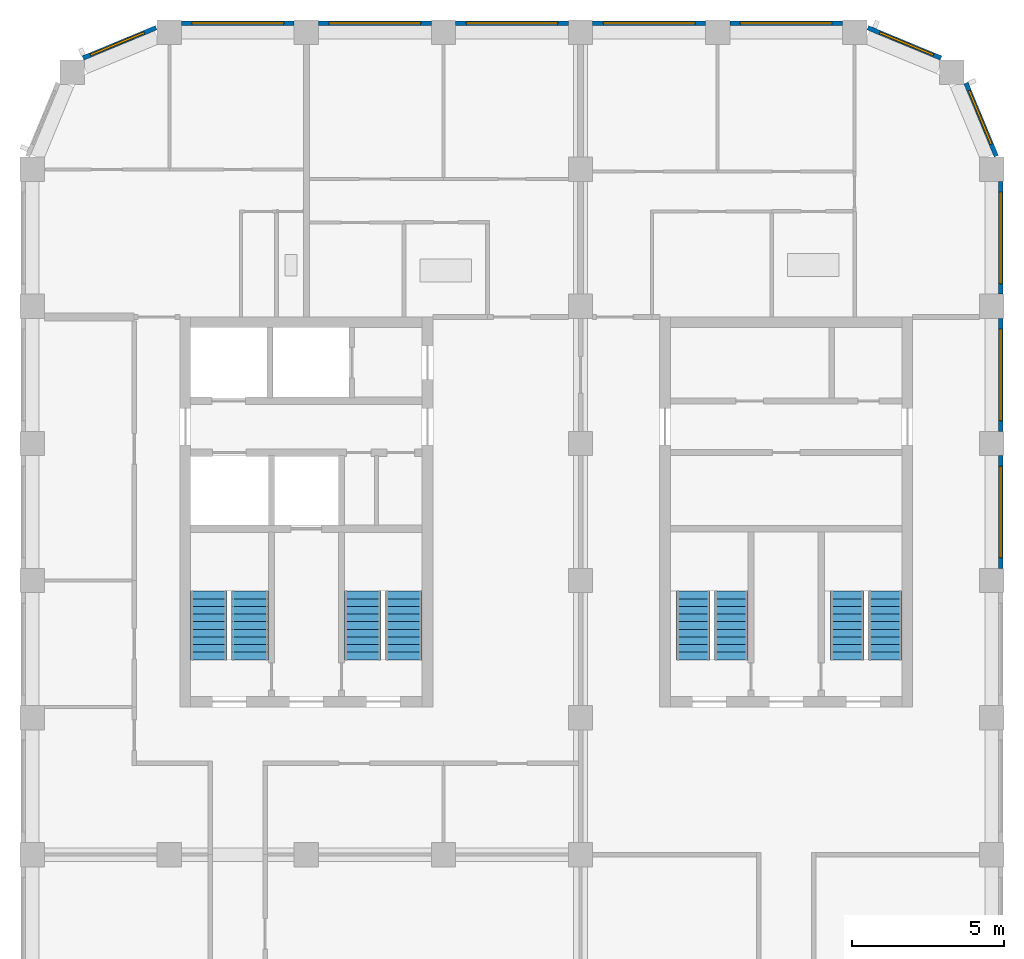
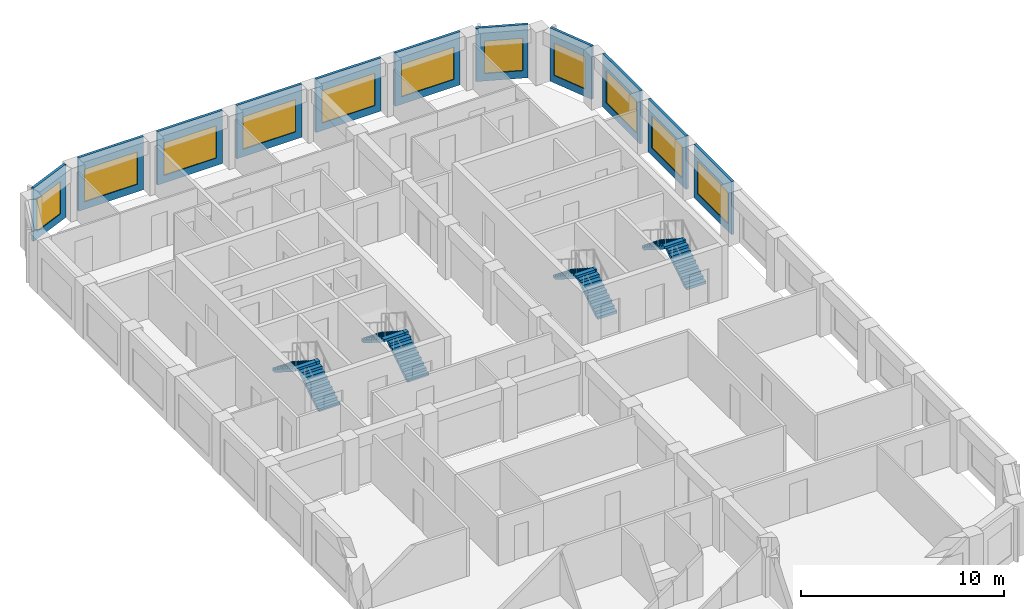
# One storey, part 7 of 9: 11 walls, 11 windows, 8 stair flights, 11 openings, 4 elements without a shape of their own.
"""IFC4 building model written with IfcOpenShell, lengths in metres."""

from ifc_helpers import new_model, si_unit, direction, frame, frame_2d, origin, place, context, subcontext, project, spatial, polyline, rectangle, outline, extrude, material, layer, layer_set, type_object, element, fill, aggregate, save


model = new_model("IFC4")

# Units and contexts
model_context = context("Model", 3, precision=1e-05, world=origin(), true_north=direction((0.0, 1.0)))
body_context = subcontext(model_context, "Body", "Model", "MODEL_VIEW")
ifc_project = project(units=[si_unit("LENGTHUNIT", "METRE"), si_unit("AREAUNIT", "SQUARE_METRE"), si_unit("VOLUMEUNIT", "CUBIC_METRE"), si_unit("PLANEANGLEUNIT", "RADIAN"), si_unit("MASSUNIT", "GRAM", prefix="KILO")], contexts=[model_context])

# Site, building, storey
site_placement = place(None, origin())
site = spatial("IfcSite", under=ifc_project, at=site_placement, CompositionType="ELEMENT")
building_placement = place(site_placement, origin())
building = spatial("IfcBuilding", under=site, at=building_placement, Name="Girih Gate Residences", CompositionType="ELEMENT")
storey_placement = place(building_placement, frame((0.0, 0.0, 206.89501953125)))
storey = spatial("IfcBuildingStorey", under=building, at=storey_placement, Name="L57", CompositionType="ELEMENT", Elevation=206.89501953125)

# Wall, opening, window
ifc_material_1 = material(Name="Precast concrete C50/60", Category="concrete")
ifc_layer_1 = layer(ifc_material_1, 0.050048828125, Name="Outer leaf")
ifc_material_2 = material(Name="Rigid PIR insulation")
ifc_layer_2 = layer(ifc_material_2, 0.06005859375, Name="Insulation")
ifc_material_3 = material(Name="Precast concrete C40/50", Category="concrete")
ifc_layer_3 = layer(ifc_material_3, 0.0400390625, Name="Inner leaf")
ifc_layer_set = layer_set([ifc_layer_1, ifc_layer_2, ifc_layer_3], Name="Precast concrete C50/60 external wall 150")
wall_type = type_object("IfcWallType", Name="Precast concrete C50/60 external wall 150", PredefinedType="SOLIDWALL", material=ifc_layer_set)
wall_1_placement = place(storey_placement, frame((31.800048828125, 35.60009765625, 0.0), z_axis=(0.0, 0.0, 1.0), x_axis=(0.0, -1.0, 0.0)))
wall_1 = element("IfcWall", 1, at=wall_1_placement, inside=storey, type_object=wall_type, Name="External wall E0315_0045.6", PredefinedType="SOLIDWALL", context=body_context, shape_type="SweptSolid", body=[
    extrude(rectangle(XDim=3.7001953125, YDim=0.14990234375, at=frame_2d((1.85009765625, 0.0))), origin(), (0.0, 0.0, 1.0), 3.199951171875),
])
opening_1_placement = place(wall_1_placement, frame((0.35009765625, 0.0, 0.449951171875)))
opening_1 = element("IfcOpeningElement", 2, at=opening_1_placement, cuts=wall_1, Name="Opening W-1D", PredefinedType="OPENING", context=body_context, shape_type="SweptSolid", body=[
    extrude(rectangle(XDim=3.0, YDim=1.949951171875, at=frame_2d((1.5, 0.97509765625))), frame((0.0, 0.0849609375, 0.0), z_axis=(0.0, -1.0, 0.0), x_axis=(1.0, 0.0, 0.0)), (0.0, 0.0, 1.0), 0.169921875),
])
ifc_material_4 = material(Name="Double glazing in aluminium frame", Category="aluminium")
window_type_1 = type_object("IfcWindowType", Name="Window W-1D 3000x1950", PartitioningType="SINGLE_PANEL", PredefinedType="WINDOW", material=ifc_material_4)
window_1_placement = place(opening_1_placement, origin())
window_1 = element("IfcWindow", 3, at=window_1_placement, inside=storey, type_object=window_type_1, Name="Window W-1D E0315_0045.6", OverallHeight=1.949951171875, OverallWidth=3.0, PartitioningType="SINGLE_PANEL", PredefinedType="WINDOW", context=body_context, shape_type="SweptSolid", body=[
    extrude(rectangle(XDim=3.0, YDim=1.949951171875, at=frame_2d((1.5, 0.97509765625))), frame((0.0, 0.030029296875, 0.0), z_axis=(0.0, -1.0, 0.0), x_axis=(1.0, 0.0, 0.0)), (0.0, 0.0, 1.0), 0.06005859375),
])
fill(opening_1, window_1)

wall_2_placement = place(storey_placement, frame((31.800048828125, 40.10009765625, 0.0), z_axis=(0.0, 0.0, 1.0), x_axis=(0.0, -1.0, 0.0)))
wall_2 = element("IfcWall", 4, at=wall_2_placement, inside=storey, type_object=wall_type, Name="External wall E0315_0045.7", PredefinedType="SOLIDWALL", context=body_context, shape_type="SweptSolid", body=[
    extrude(rectangle(XDim=3.7001953125, YDim=0.14990234375, at=frame_2d((1.85009765625, 0.0))), origin(), (0.0, 0.0, 1.0), 3.199951171875),
])
opening_2_placement = place(wall_2_placement, frame((0.35009765625, 0.0, 0.449951171875)))
opening_2 = element("IfcOpeningElement", 5, at=opening_2_placement, cuts=wall_2, Name="Opening W-1D", PredefinedType="OPENING", context=body_context, shape_type="SweptSolid", body=[
    extrude(rectangle(XDim=3.0, YDim=1.949951171875, at=frame_2d((1.5, 0.97509765625))), frame((0.0, 0.0849609375, 0.0), z_axis=(0.0, -1.0, 0.0), x_axis=(1.0, 0.0, 0.0)), (0.0, 0.0, 1.0), 0.169921875),
])
window_2_placement = place(opening_2_placement, origin())
window_2 = element("IfcWindow", 6, at=window_2_placement, inside=storey, type_object=window_type_1, Name="Window W-1D E0315_0045.7", OverallHeight=1.949951171875, OverallWidth=3.0, PartitioningType="SINGLE_PANEL", PredefinedType="WINDOW", context=body_context, shape_type="SweptSolid", body=[
    extrude(rectangle(XDim=3.0, YDim=1.949951171875, at=frame_2d((1.5, 0.97509765625))), frame((0.0, 0.030029296875, 0.0), z_axis=(0.0, -1.0, 0.0), x_axis=(1.0, 0.0, 0.0)), (0.0, 0.0, 1.0), 0.06005859375),
])
fill(opening_2, window_2)

wall_3_placement = place(storey_placement, frame((31.800048828125, 44.60009765625, 0.0), z_axis=(0.0, 0.0, 1.0), x_axis=(0.0, -1.0, 0.0)))
wall_3 = element("IfcWall", 7, at=wall_3_placement, inside=storey, type_object=wall_type, Name="External wall E0315_0045.8", PredefinedType="SOLIDWALL", context=body_context, shape_type="SweptSolid", body=[
    extrude(rectangle(XDim=3.7001953125, YDim=0.14990234375, at=frame_2d((1.85009765625, 0.0))), origin(), (0.0, 0.0, 1.0), 3.199951171875),
])
opening_3_placement = place(wall_3_placement, frame((0.35009765625, 0.0, 0.449951171875)))
opening_3 = element("IfcOpeningElement", 8, at=opening_3_placement, cuts=wall_3, Name="Opening W-1D", PredefinedType="OPENING", context=body_context, shape_type="SweptSolid", body=[
    extrude(rectangle(XDim=3.0, YDim=1.949951171875, at=frame_2d((1.5, 0.97509765625))), frame((0.0, 0.0849609375, 0.0), z_axis=(0.0, -1.0, 0.0), x_axis=(1.0, 0.0, 0.0)), (0.0, 0.0, 1.0), 0.169921875),
])
window_3_placement = place(opening_3_placement, origin())
window_3 = element("IfcWindow", 9, at=window_3_placement, inside=storey, type_object=window_type_1, Name="Window W-1D E0315_0045.8", OverallHeight=1.949951171875, OverallWidth=3.0, PartitioningType="SINGLE_PANEL", PredefinedType="WINDOW", context=body_context, shape_type="SweptSolid", body=[
    extrude(rectangle(XDim=3.0, YDim=1.949951171875, at=frame_2d((1.5, 0.97509765625))), frame((0.0, 0.030029296875, 0.0), z_axis=(0.0, -1.0, 0.0), x_axis=(1.0, 0.0, 0.0)), (0.0, 0.0, 1.0), 0.06005859375),
])
fill(opening_3, window_3)

wall_4_placement = place(storey_placement, frame((30.6513671875, 47.8330078125, 0.0), z_axis=(0.0, 0.0, 1.0), x_axis=(0.382669406082, -0.923885342263, 0.0)))
wall_4 = element("IfcWall", 10, at=wall_4_placement, inside=storey, type_object=wall_type, Name="External wall NE0315_0450.0", PredefinedType="SOLIDWALL", context=body_context, shape_type="SweptSolid", body=[
    extrude(rectangle(XDim=2.602294921875, YDim=0.14990234375, at=frame_2d((1.30126953125, 0.0))), origin(), (0.0, 0.0, 1.0), 3.199951171875),
])
opening_4_placement = place(wall_4_placement, frame((0.27001953125, 0.0, 0.449951171875)))
opening_4 = element("IfcOpeningElement", 11, at=opening_4_placement, cuts=wall_4, Name="Opening W-2G", PredefinedType="OPENING", context=body_context, shape_type="SweptSolid", body=[
    extrude(rectangle(XDim=1.89990234375, YDim=1.949951171875, at=frame_2d((0.949951171875, 0.97509765625))), frame((0.0, 0.0849609375, 0.0), z_axis=(0.0, -1.0, 0.0), x_axis=(1.0, 0.0, 0.0)), (0.0, 0.0, 1.0), 0.169921875),
])
window_type_2 = type_object("IfcWindowType", Name="Window W-2G 1900x1950", PartitioningType="SINGLE_PANEL", PredefinedType="WINDOW", material=ifc_material_4)
window_4_placement = place(opening_4_placement, origin())
window_4 = element("IfcWindow", 12, at=window_4_placement, inside=storey, type_object=window_type_2, Name="Window W-2G NE0315_0450.0", OverallHeight=1.949951171875, OverallWidth=1.89990234375, PartitioningType="SINGLE_PANEL", PredefinedType="WINDOW", context=body_context, shape_type="SweptSolid", body=[
    extrude(rectangle(XDim=1.89990234375, YDim=1.949951171875, at=frame_2d((0.949951171875, 0.97509765625))), frame((0.0, 0.030029296875, 0.0), z_axis=(0.0, -1.0, 0.0), x_axis=(1.0, 0.0, 0.0)), (0.0, 0.0, 1.0), 0.06005859375),
])
fill(opening_4, window_4)

wall_5_placement = place(storey_placement, frame((27.4287109375, 49.647216796875, 0.0), z_axis=(0.0, 0.0, 1.0), x_axis=(0.923885342263, -0.382669406082, 0.0)))
wall_5 = element("IfcWall", 13, at=wall_5_placement, inside=storey, type_object=wall_type, Name="External wall NE0302_0482.0", PredefinedType="SOLIDWALL", context=body_context, shape_type="SweptSolid", body=[
    extrude(rectangle(XDim=2.602294921875, YDim=0.14990234375, at=frame_2d((1.30126953125, 0.0))), origin(), (0.0, 0.0, 1.0), 3.199951171875),
])
opening_5_placement = place(wall_5_placement, frame((0.432373046875, 0.0, 0.449951171875)))
opening_5 = element("IfcOpeningElement", 14, at=opening_5_placement, cuts=wall_5, Name="Opening W-2G", PredefinedType="OPENING", context=body_context, shape_type="SweptSolid", body=[
    extrude(rectangle(XDim=1.89990234375, YDim=1.949951171875, at=frame_2d((0.949951171875, 0.97509765625))), frame((0.0, 0.0849609375, 0.0), z_axis=(0.0, -1.0, 0.0), x_axis=(1.0, 0.0, 0.0)), (0.0, 0.0, 1.0), 0.169921875),
])
window_5_placement = place(opening_5_placement, origin())
window_5 = element("IfcWindow", 15, at=window_5_placement, inside=storey, type_object=window_type_2, Name="Window W-2G NE0302_0482.0", OverallHeight=1.949951171875, OverallWidth=1.89990234375, PartitioningType="SINGLE_PANEL", PredefinedType="WINDOW", context=body_context, shape_type="SweptSolid", body=[
    extrude(rectangle(XDim=1.89990234375, YDim=1.949951171875, at=frame_2d((0.949951171875, 0.97509765625))), frame((0.0, 0.030029296875, 0.0), z_axis=(0.0, -1.0, 0.0), x_axis=(1.0, 0.0, 0.0)), (0.0, 0.0, 1.0), 0.06005859375),
])
fill(opening_5, window_5)

wall_6_placement = place(storey_placement, frame((22.89990234375, 49.800048828125, 0.0), z_axis=(0.0, 0.0, 1.0), x_axis=(1.0, 0.0, 0.0)))
wall_6 = element("IfcWall", 16, at=wall_6_placement, inside=storey, type_object=wall_type, Name="External wall N0270_0495.0", PredefinedType="SOLIDWALL", context=body_context, shape_type="SweptSolid", body=[
    extrude(rectangle(XDim=3.7001953125, YDim=0.14990234375, at=frame_2d((1.85009765625, 0.0))), origin(), (0.0, 0.0, 1.0), 3.199951171875),
])
opening_6_placement = place(wall_6_placement, frame((0.35009765625, 0.0, 0.449951171875)))
opening_6 = element("IfcOpeningElement", 17, at=opening_6_placement, cuts=wall_6, Name="Opening W-1D", PredefinedType="OPENING", context=body_context, shape_type="SweptSolid", body=[
    extrude(rectangle(XDim=3.0, YDim=1.949951171875, at=frame_2d((1.5, 0.97509765625))), frame((0.0, 0.0849609375, 0.0), z_axis=(0.0, -1.0, 0.0), x_axis=(1.0, 0.0, 0.0)), (0.0, 0.0, 1.0), 0.169921875),
])
window_6_placement = place(opening_6_placement, origin())
window_6 = element("IfcWindow", 18, at=window_6_placement, inside=storey, type_object=window_type_1, Name="Window W-1D N0270_0495.0", OverallHeight=1.949951171875, OverallWidth=3.0, PartitioningType="SINGLE_PANEL", PredefinedType="WINDOW", context=body_context, shape_type="SweptSolid", body=[
    extrude(rectangle(XDim=3.0, YDim=1.949951171875, at=frame_2d((1.5, 0.97509765625))), frame((0.0, 0.030029296875, 0.0), z_axis=(0.0, -1.0, 0.0), x_axis=(1.0, 0.0, 0.0)), (0.0, 0.0, 1.0), 0.06005859375),
])
fill(opening_6, window_6)

wall_7_placement = place(storey_placement, frame((18.39990234375, 49.800048828125, 0.0), z_axis=(0.0, 0.0, 1.0), x_axis=(1.0, 0.0, 0.0)))
wall_7 = element("IfcWall", 19, at=wall_7_placement, inside=storey, type_object=wall_type, Name="External wall N0270_0495.1", PredefinedType="SOLIDWALL", context=body_context, shape_type="SweptSolid", body=[
    extrude(rectangle(XDim=3.7001953125, YDim=0.14990234375, at=frame_2d((1.85009765625, 0.0))), origin(), (0.0, 0.0, 1.0), 3.199951171875),
])
opening_7_placement = place(wall_7_placement, frame((0.35009765625, 0.0, 0.449951171875)))
opening_7 = element("IfcOpeningElement", 20, at=opening_7_placement, cuts=wall_7, Name="Opening W-1D", PredefinedType="OPENING", context=body_context, shape_type="SweptSolid", body=[
    extrude(rectangle(XDim=3.0, YDim=1.949951171875, at=frame_2d((1.5, 0.97509765625))), frame((0.0, 0.0849609375, 0.0), z_axis=(0.0, -1.0, 0.0), x_axis=(1.0, 0.0, 0.0)), (0.0, 0.0, 1.0), 0.169921875),
])
window_7_placement = place(opening_7_placement, origin())
window_7 = element("IfcWindow", 21, at=window_7_placement, inside=storey, type_object=window_type_1, Name="Window W-1D N0270_0495.1", OverallHeight=1.949951171875, OverallWidth=3.0, PartitioningType="SINGLE_PANEL", PredefinedType="WINDOW", context=body_context, shape_type="SweptSolid", body=[
    extrude(rectangle(XDim=3.0, YDim=1.949951171875, at=frame_2d((1.5, 0.97509765625))), frame((0.0, 0.030029296875, 0.0), z_axis=(0.0, -1.0, 0.0), x_axis=(1.0, 0.0, 0.0)), (0.0, 0.0, 1.0), 0.06005859375),
])
fill(opening_7, window_7)

wall_8_placement = place(storey_placement, frame((13.89990234375, 49.800048828125, 0.0), z_axis=(0.0, 0.0, 1.0), x_axis=(1.0, 0.0, 0.0)))
wall_8 = element("IfcWall", 22, at=wall_8_placement, inside=storey, type_object=wall_type, Name="External wall N0270_0495.2", PredefinedType="SOLIDWALL", context=body_context, shape_type="SweptSolid", body=[
    extrude(rectangle(XDim=3.7001953125, YDim=0.14990234375, at=frame_2d((1.85009765625, 0.0))), origin(), (0.0, 0.0, 1.0), 3.199951171875),
])
opening_8_placement = place(wall_8_placement, frame((0.35009765625, 0.0, 0.449951171875)))
opening_8 = element("IfcOpeningElement", 23, at=opening_8_placement, cuts=wall_8, Name="Opening W-1D", PredefinedType="OPENING", context=body_context, shape_type="SweptSolid", body=[
    extrude(rectangle(XDim=3.0, YDim=1.949951171875, at=frame_2d((1.5, 0.97509765625))), frame((0.0, 0.0849609375, 0.0), z_axis=(0.0, -1.0, 0.0), x_axis=(1.0, 0.0, 0.0)), (0.0, 0.0, 1.0), 0.169921875),
])
window_8_placement = place(opening_8_placement, origin())
window_8 = element("IfcWindow", 24, at=window_8_placement, inside=storey, type_object=window_type_1, Name="Window W-1D N0270_0495.2", OverallHeight=1.949951171875, OverallWidth=3.0, PartitioningType="SINGLE_PANEL", PredefinedType="WINDOW", context=body_context, shape_type="SweptSolid", body=[
    extrude(rectangle(XDim=3.0, YDim=1.949951171875, at=frame_2d((1.5, 0.97509765625))), frame((0.0, 0.030029296875, 0.0), z_axis=(0.0, -1.0, 0.0), x_axis=(1.0, 0.0, 0.0)), (0.0, 0.0, 1.0), 0.06005859375),
])
fill(opening_8, window_8)

wall_9_placement = place(storey_placement, frame((9.39990234375, 49.800048828125, 0.0), z_axis=(0.0, 0.0, 1.0), x_axis=(1.0, 0.0, 0.0)))
wall_9 = element("IfcWall", 25, at=wall_9_placement, inside=storey, type_object=wall_type, Name="External wall N0270_0495.3", PredefinedType="SOLIDWALL", context=body_context, shape_type="SweptSolid", body=[
    extrude(rectangle(XDim=3.7001953125, YDim=0.14990234375, at=frame_2d((1.85009765625, 0.0))), origin(), (0.0, 0.0, 1.0), 3.199951171875),
])
opening_9_placement = place(wall_9_placement, frame((0.35009765625, 0.0, 0.449951171875)))
opening_9 = element("IfcOpeningElement", 26, at=opening_9_placement, cuts=wall_9, Name="Opening W-1D", PredefinedType="OPENING", context=body_context, shape_type="SweptSolid", body=[
    extrude(rectangle(XDim=3.0, YDim=1.949951171875, at=frame_2d((1.5, 0.97509765625))), frame((0.0, 0.0849609375, 0.0), z_axis=(0.0, -1.0, 0.0), x_axis=(1.0, 0.0, 0.0)), (0.0, 0.0, 1.0), 0.169921875),
])
window_9_placement = place(opening_9_placement, origin())
window_9 = element("IfcWindow", 27, at=window_9_placement, inside=storey, type_object=window_type_1, Name="Window W-1D N0270_0495.3", OverallHeight=1.949951171875, OverallWidth=3.0, PartitioningType="SINGLE_PANEL", PredefinedType="WINDOW", context=body_context, shape_type="SweptSolid", body=[
    extrude(rectangle(XDim=3.0, YDim=1.949951171875, at=frame_2d((1.5, 0.97509765625))), frame((0.0, 0.030029296875, 0.0), z_axis=(0.0, -1.0, 0.0), x_axis=(1.0, 0.0, 0.0)), (0.0, 0.0, 1.0), 0.06005859375),
])
fill(opening_9, window_9)

wall_10_placement = place(storey_placement, frame((4.89990234375, 49.800048828125, 0.0), z_axis=(0.0, 0.0, 1.0), x_axis=(1.0, 0.0, 0.0)))
wall_10 = element("IfcWall", 28, at=wall_10_placement, inside=storey, type_object=wall_type, Name="External wall N0270_0495.4", PredefinedType="SOLIDWALL", context=body_context, shape_type="SweptSolid", body=[
    extrude(rectangle(XDim=3.7001953125, YDim=0.14990234375, at=frame_2d((1.85009765625, 0.0))), origin(), (0.0, 0.0, 1.0), 3.199951171875),
])
opening_10_placement = place(wall_10_placement, frame((0.35009765625, 0.0, 0.449951171875)))
opening_10 = element("IfcOpeningElement", 29, at=opening_10_placement, cuts=wall_10, Name="Opening W-1D", PredefinedType="OPENING", context=body_context, shape_type="SweptSolid", body=[
    extrude(rectangle(XDim=3.0, YDim=1.949951171875, at=frame_2d((1.5, 0.97509765625))), frame((0.0, 0.0849609375, 0.0), z_axis=(0.0, -1.0, 0.0), x_axis=(1.0, 0.0, 0.0)), (0.0, 0.0, 1.0), 0.169921875),
])
window_10_placement = place(opening_10_placement, origin())
window_10 = element("IfcWindow", 30, at=window_10_placement, inside=storey, type_object=window_type_1, Name="Window W-1D N0270_0495.4", OverallHeight=1.949951171875, OverallWidth=3.0, PartitioningType="SINGLE_PANEL", PredefinedType="WINDOW", context=body_context, shape_type="SweptSolid", body=[
    extrude(rectangle(XDim=3.0, YDim=1.949951171875, at=frame_2d((1.5, 0.97509765625))), frame((0.0, 0.030029296875, 0.0), z_axis=(0.0, -1.0, 0.0), x_axis=(1.0, 0.0, 0.0)), (0.0, 0.0, 1.0), 0.06005859375),
])
fill(opening_10, window_10)

wall_11_placement = place(storey_placement, frame((1.6669921875, 48.6513671875, 0.0), z_axis=(0.0, 0.0, 1.0), x_axis=(0.923885342263, 0.382669406082, 0.0)))
wall_11 = element("IfcWall", 31, at=wall_11_placement, inside=storey, type_object=wall_type, Name="External wall NW0045_0495.0", PredefinedType="SOLIDWALL", context=body_context, shape_type="SweptSolid", body=[
    extrude(rectangle(XDim=2.602294921875, YDim=0.14990234375, at=frame_2d((1.30126953125, 0.0))), origin(), (0.0, 0.0, 1.0), 3.199951171875),
])
opening_11_placement = place(wall_11_placement, frame((0.27001953125, 0.0, 0.449951171875)))
opening_11 = element("IfcOpeningElement", 32, at=opening_11_placement, cuts=wall_11, Name="Opening W-2G", PredefinedType="OPENING", context=body_context, shape_type="SweptSolid", body=[
    extrude(rectangle(XDim=1.89990234375, YDim=1.949951171875, at=frame_2d((0.949951171875, 0.97509765625))), frame((0.0, 0.0849609375, 0.0), z_axis=(0.0, -1.0, 0.0), x_axis=(1.0, 0.0, 0.0)), (0.0, 0.0, 1.0), 0.169921875),
])
window_11_placement = place(opening_11_placement, origin())
window_11 = element("IfcWindow", 33, at=window_11_placement, inside=storey, type_object=window_type_2, Name="Window W-2G NW0045_0495.0", OverallHeight=1.949951171875, OverallWidth=1.89990234375, PartitioningType="SINGLE_PANEL", PredefinedType="WINDOW", context=body_context, shape_type="SweptSolid", body=[
    extrude(rectangle(XDim=1.89990234375, YDim=1.949951171875, at=frame_2d((0.949951171875, 0.97509765625))), frame((0.0, 0.030029296875, 0.0), z_axis=(0.0, -1.0, 0.0), x_axis=(1.0, 0.0, 0.0)), (0.0, 0.0, 1.0), 0.06005859375),
])
fill(opening_11, window_11)

# Stair, stair flights
ifc_material_5 = material(Name="Concrete C40/50", Category="concrete")
stair_type_1 = type_object("IfcStairType", Name="Exit stair C core", PredefinedType="HALF_TURN_STAIR", material=ifc_material_5)
stair_1_placement = place(storey_placement, origin())
stair_1 = element("IfcStair", 34, at=stair_1_placement, inside=storey, type_object=stair_type_1, Name="L57 Exit Stair ST-C1", PredefinedType="HALF_TURN_STAIR")
stair_flight_type_1 = type_object("IfcStairFlightType", Name="Stair flight 1100", PredefinedType="STRAIGHT", material=ifc_material_5)
stair_flight_1_placement = place(storey_placement, frame((22.949951171875, 28.89990234375, 0.0), z_axis=(0.0, 0.0, 1.0), x_axis=(0.0, 1.0, 0.0)))
stair_flight_1 = element("IfcStairFlight", 35, at=stair_flight_1_placement, type_object=stair_flight_type_1, Name="ST-C1 flight 1", NumberOfRisers=10, NumberOfTreads=9, PredefinedType="STRAIGHT", RiserHeight=0.16, TreadLength=0.25, context=body_context, shape_type="SweptSolid", body=[
    extrude(outline(polyline([(0.0, 0.0), (0.0, 0.159912109375), (0.25, 0.159912109375), (0.25, 0.320068359375), (0.5, 0.320068359375), (0.5, 0.47998046875), (0.75, 0.47998046875), (0.75, 0.639892578125), (1.0, 0.639892578125), (1.0, 0.800048828125), (1.25, 0.800048828125), (1.25, 0.9599609375), (1.5, 0.9599609375), (1.5, 1.1201171875), (1.75, 1.1201171875), (1.75, 1.280029296875), (2.0, 1.280029296875), (2.0, 1.43994140625), (2.25, 1.43994140625), (2.25, 1.60009765625), (2.25, 1.29736328125), (0.222900390625, 0.0), (0.0, 0.0)])), frame((0.0, 0.550048828125, 0.0), z_axis=(0.0, -1.0, 0.0), x_axis=(1.0, 0.0, 0.0)), (0.0, 0.0, 1.0), 1.10009765625),
])
stair_flight_2_placement = place(storey_placement, frame((21.699951171875, 31.14990234375, 1.60009765625), z_axis=(0.0, 0.0, 1.0), x_axis=(0.0, -1.0, 0.0)))
stair_flight_2 = element("IfcStairFlight", 36, at=stair_flight_2_placement, type_object=stair_flight_type_1, Name="ST-C1 flight 2", NumberOfRisers=10, NumberOfTreads=9, PredefinedType="STRAIGHT", RiserHeight=0.16, TreadLength=0.25, context=body_context, shape_type="SweptSolid", body=[
    extrude(outline(polyline([(0.0, 0.0), (0.0, 0.159912109375), (0.25, 0.159912109375), (0.25, 0.320068359375), (0.5, 0.320068359375), (0.5, 0.47998046875), (0.75, 0.47998046875), (0.75, 0.639892578125), (1.0, 0.639892578125), (1.0, 0.800048828125), (1.25, 0.800048828125), (1.25, 0.9599609375), (1.5, 0.9599609375), (1.5, 1.1201171875), (1.75, 1.1201171875), (1.75, 1.280029296875), (2.0, 1.280029296875), (2.0, 1.43994140625), (2.25, 1.43994140625), (2.25, 1.60009765625), (2.25, 1.29736328125), (0.222900390625, 0.0), (0.0, 0.0)])), frame((0.0, 0.550048828125, 0.0), z_axis=(0.0, -1.0, 0.0), x_axis=(1.0, 0.0, 0.0)), (0.0, 0.0, 1.0), 1.10009765625),
])
aggregate(stair_1, [stair_flight_1, stair_flight_2])

stair_2_placement = place(storey_placement, origin())
stair_2 = element("IfcStair", 37, at=stair_2_placement, inside=storey, type_object=stair_type_1, Name="L57 Exit Stair ST-C2", PredefinedType="HALF_TURN_STAIR")
stair_flight_3_placement = place(storey_placement, frame((28.0, 28.89990234375, 0.0), z_axis=(0.0, 0.0, 1.0), x_axis=(0.0, 1.0, 0.0)))
stair_flight_3 = element("IfcStairFlight", 38, at=stair_flight_3_placement, type_object=stair_flight_type_1, Name="ST-C2 flight 1", NumberOfRisers=10, NumberOfTreads=9, PredefinedType="STRAIGHT", RiserHeight=0.16, TreadLength=0.25, context=body_context, shape_type="SweptSolid", body=[
    extrude(outline(polyline([(0.0, 0.0), (0.0, 0.159912109375), (0.25, 0.159912109375), (0.25, 0.320068359375), (0.5, 0.320068359375), (0.5, 0.47998046875), (0.75, 0.47998046875), (0.75, 0.639892578125), (1.0, 0.639892578125), (1.0, 0.800048828125), (1.25, 0.800048828125), (1.25, 0.9599609375), (1.5, 0.9599609375), (1.5, 1.1201171875), (1.75, 1.1201171875), (1.75, 1.280029296875), (2.0, 1.280029296875), (2.0, 1.43994140625), (2.25, 1.43994140625), (2.25, 1.60009765625), (2.25, 1.29736328125), (0.222900390625, 0.0), (0.0, 0.0)])), frame((0.0, 0.550048828125, 0.0), z_axis=(0.0, -1.0, 0.0), x_axis=(1.0, 0.0, 0.0)), (0.0, 0.0, 1.0), 1.10009765625),
])
stair_flight_4_placement = place(storey_placement, frame((26.75, 31.14990234375, 1.60009765625), z_axis=(0.0, 0.0, 1.0), x_axis=(0.0, -1.0, 0.0)))
stair_flight_4 = element("IfcStairFlight", 39, at=stair_flight_4_placement, type_object=stair_flight_type_1, Name="ST-C2 flight 2", NumberOfRisers=10, NumberOfTreads=9, PredefinedType="STRAIGHT", RiserHeight=0.16, TreadLength=0.25, context=body_context, shape_type="SweptSolid", body=[
    extrude(outline(polyline([(0.0, 0.0), (0.0, 0.159912109375), (0.25, 0.159912109375), (0.25, 0.320068359375), (0.5, 0.320068359375), (0.5, 0.47998046875), (0.75, 0.47998046875), (0.75, 0.639892578125), (1.0, 0.639892578125), (1.0, 0.800048828125), (1.25, 0.800048828125), (1.25, 0.9599609375), (1.5, 0.9599609375), (1.5, 1.1201171875), (1.75, 1.1201171875), (1.75, 1.280029296875), (2.0, 1.280029296875), (2.0, 1.43994140625), (2.25, 1.43994140625), (2.25, 1.60009765625), (2.25, 1.29736328125), (0.222900390625, 0.0), (0.0, 0.0)])), frame((0.0, 0.550048828125, 0.0), z_axis=(0.0, -1.0, 0.0), x_axis=(1.0, 0.0, 0.0)), (0.0, 0.0, 1.0), 1.10009765625),
])
aggregate(stair_2, [stair_flight_3, stair_flight_4])

stair_type_2 = type_object("IfcStairType", Name="Exit stair", PredefinedType="HALF_TURN_STAIR", material=ifc_material_5)
stair_3_placement = place(storey_placement, origin())
stair_3 = element("IfcStair", 40, at=stair_3_placement, inside=storey, type_object=stair_type_2, Name="L57 Exit Stair ST-W1", PredefinedType="HALF_TURN_STAIR")
stair_flight_type_2 = type_object("IfcStairFlightType", Name="Stair flight 1200", PredefinedType="STRAIGHT", material=ifc_material_5)
stair_flight_5_placement = place(storey_placement, frame((7.14990234375, 28.89990234375, 0.0), z_axis=(0.0, 0.0, 1.0), x_axis=(0.0, 1.0, 0.0)))
stair_flight_5 = element("IfcStairFlight", 41, at=stair_flight_5_placement, type_object=stair_flight_type_2, Name="ST-W1 flight 1", NumberOfRisers=10, NumberOfTreads=9, PredefinedType="STRAIGHT", RiserHeight=0.16, TreadLength=0.25, context=body_context, shape_type="SweptSolid", body=[
    extrude(outline(polyline([(0.0, 0.0), (0.0, 0.159912109375), (0.25, 0.159912109375), (0.25, 0.320068359375), (0.5, 0.320068359375), (0.5, 0.47998046875), (0.75, 0.47998046875), (0.75, 0.639892578125), (1.0, 0.639892578125), (1.0, 0.800048828125), (1.25, 0.800048828125), (1.25, 0.9599609375), (1.5, 0.9599609375), (1.5, 1.1201171875), (1.75, 1.1201171875), (1.75, 1.280029296875), (2.0, 1.280029296875), (2.0, 1.43994140625), (2.25, 1.43994140625), (2.25, 1.60009765625), (2.25, 1.29736328125), (0.222900390625, 0.0), (0.0, 0.0)])), frame((0.0, 0.60009765625, 0.0), z_axis=(0.0, -1.0, 0.0), x_axis=(1.0, 0.0, 0.0)), (0.0, 0.0, 1.0), 1.199951171875),
])
stair_flight_6_placement = place(storey_placement, frame((5.800048828125, 31.14990234375, 1.60009765625), z_axis=(0.0, 0.0, 1.0), x_axis=(0.0, -1.0, 0.0)))
stair_flight_6 = element("IfcStairFlight", 42, at=stair_flight_6_placement, type_object=stair_flight_type_2, Name="ST-W1 flight 2", NumberOfRisers=10, NumberOfTreads=9, PredefinedType="STRAIGHT", RiserHeight=0.16, TreadLength=0.25, context=body_context, shape_type="SweptSolid", body=[
    extrude(outline(polyline([(0.0, 0.0), (0.0, 0.159912109375), (0.25, 0.159912109375), (0.25, 0.320068359375), (0.5, 0.320068359375), (0.5, 0.47998046875), (0.75, 0.47998046875), (0.75, 0.639892578125), (1.0, 0.639892578125), (1.0, 0.800048828125), (1.25, 0.800048828125), (1.25, 0.9599609375), (1.5, 0.9599609375), (1.5, 1.1201171875), (1.75, 1.1201171875), (1.75, 1.280029296875), (2.0, 1.280029296875), (2.0, 1.43994140625), (2.25, 1.43994140625), (2.25, 1.60009765625), (2.25, 1.29736328125), (0.222900390625, 0.0), (0.0, 0.0)])), frame((0.0, 0.60009765625, 0.0), z_axis=(0.0, -1.0, 0.0), x_axis=(1.0, 0.0, 0.0)), (0.0, 0.0, 1.0), 1.199951171875),
])
aggregate(stair_3, [stair_flight_5, stair_flight_6])

stair_4_placement = place(storey_placement, origin())
stair_4 = element("IfcStair", 43, at=stair_4_placement, inside=storey, type_object=stair_type_2, Name="L57 Exit Stair ST-W2", PredefinedType="HALF_TURN_STAIR")
stair_flight_7_placement = place(storey_placement, frame((12.199951171875, 28.89990234375, 0.0), z_axis=(0.0, 0.0, 1.0), x_axis=(0.0, 1.0, 0.0)))
stair_flight_7 = element("IfcStairFlight", 44, at=stair_flight_7_placement, type_object=stair_flight_type_2, Name="ST-W2 flight 1", NumberOfRisers=10, NumberOfTreads=9, PredefinedType="STRAIGHT", RiserHeight=0.16, TreadLength=0.25, context=body_context, shape_type="SweptSolid", body=[
    extrude(outline(polyline([(0.0, 0.0), (0.0, 0.159912109375), (0.25, 0.159912109375), (0.25, 0.320068359375), (0.5, 0.320068359375), (0.5, 0.47998046875), (0.75, 0.47998046875), (0.75, 0.639892578125), (1.0, 0.639892578125), (1.0, 0.800048828125), (1.25, 0.800048828125), (1.25, 0.9599609375), (1.5, 0.9599609375), (1.5, 1.1201171875), (1.75, 1.1201171875), (1.75, 1.280029296875), (2.0, 1.280029296875), (2.0, 1.43994140625), (2.25, 1.43994140625), (2.25, 1.60009765625), (2.25, 1.29736328125), (0.222900390625, 0.0), (0.0, 0.0)])), frame((0.0, 0.60009765625, 0.0), z_axis=(0.0, -1.0, 0.0), x_axis=(1.0, 0.0, 0.0)), (0.0, 0.0, 1.0), 1.199951171875),
])
stair_flight_8_placement = place(storey_placement, frame((10.85009765625, 31.14990234375, 1.60009765625), z_axis=(0.0, 0.0, 1.0), x_axis=(0.0, -1.0, 0.0)))
stair_flight_8 = element("IfcStairFlight", 45, at=stair_flight_8_placement, type_object=stair_flight_type_2, Name="ST-W2 flight 2", NumberOfRisers=10, NumberOfTreads=9, PredefinedType="STRAIGHT", RiserHeight=0.16, TreadLength=0.25, context=body_context, shape_type="SweptSolid", body=[
    extrude(outline(polyline([(0.0, 0.0), (0.0, 0.159912109375), (0.25, 0.159912109375), (0.25, 0.320068359375), (0.5, 0.320068359375), (0.5, 0.47998046875), (0.75, 0.47998046875), (0.75, 0.639892578125), (1.0, 0.639892578125), (1.0, 0.800048828125), (1.25, 0.800048828125), (1.25, 0.9599609375), (1.5, 0.9599609375), (1.5, 1.1201171875), (1.75, 1.1201171875), (1.75, 1.280029296875), (2.0, 1.280029296875), (2.0, 1.43994140625), (2.25, 1.43994140625), (2.25, 1.60009765625), (2.25, 1.29736328125), (0.222900390625, 0.0), (0.0, 0.0)])), frame((0.0, 0.60009765625, 0.0), z_axis=(0.0, -1.0, 0.0), x_axis=(1.0, 0.0, 0.0)), (0.0, 0.0, 1.0), 1.199951171875),
])
aggregate(stair_4, [stair_flight_7, stair_flight_8])

save(model, "model.ifc")
